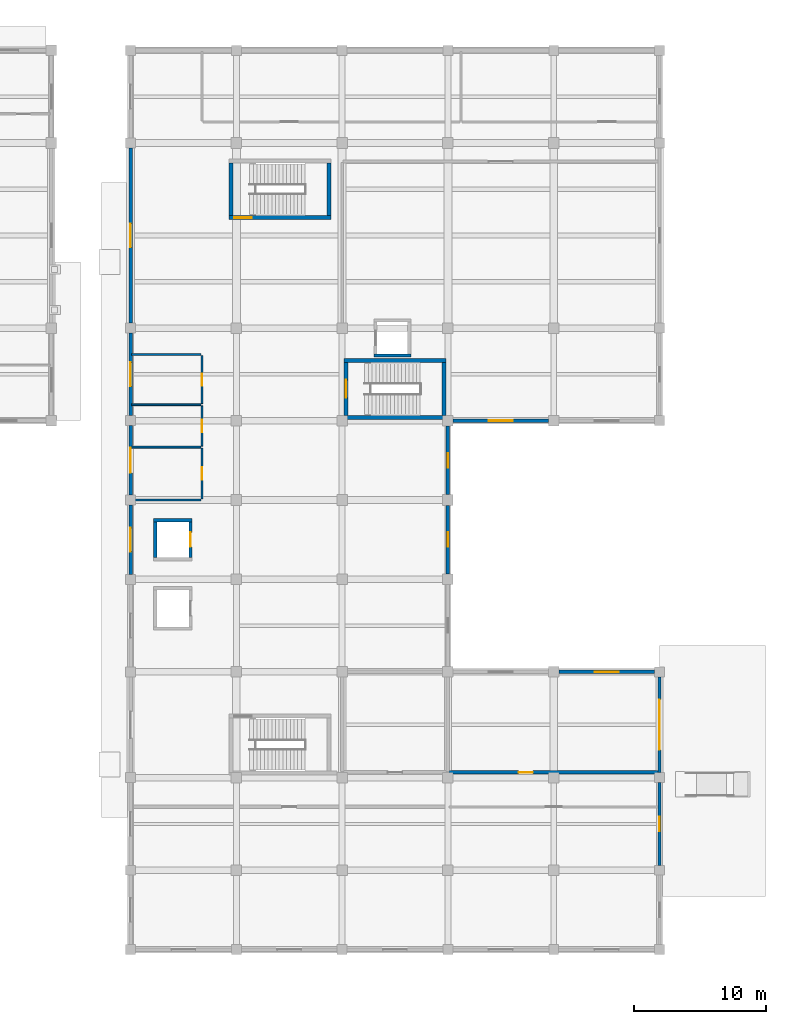
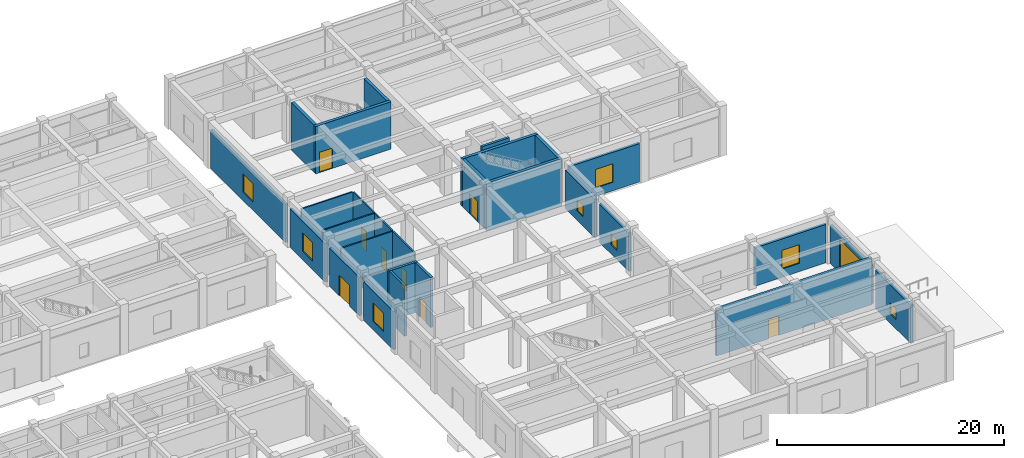
# One storey, part 28 of 40: 29 walls, 9 doors, 8 windows, 17 openings.
"""IFC4 building model written with IfcOpenShell, lengths in metres."""

from ifc_helpers import new_model, si_unit, direction, frame, frame_2d, origin, place, context, subcontext, project, spatial, rectangle, extrude, material, layer, layer_set, type_object, element, fill, save


model = new_model("IFC4")

# Units and contexts
model_context = context("Model", 3, precision=1e-05, world=origin(), true_north=direction((0.0, 1.0)))
body_context = subcontext(model_context, "Body", "Model", "MODEL_VIEW")
ifc_project = project(units=[si_unit("LENGTHUNIT", "METRE"), si_unit("AREAUNIT", "SQUARE_METRE"), si_unit("VOLUMEUNIT", "CUBIC_METRE"), si_unit("PLANEANGLEUNIT", "RADIAN"), si_unit("MASSUNIT", "GRAM", prefix="KILO")], contexts=[model_context])

# Site, building, storey
site_placement = place(None, origin())
site = spatial("IfcSite", under=ifc_project, at=site_placement, CompositionType="ELEMENT")
building_placement = place(site_placement, origin())
building = spatial("IfcBuilding", under=site, at=building_placement, Name="Naurynzar Civic Courthouse", CompositionType="ELEMENT")
storey_placement = place(building_placement, origin())
storey = spatial("IfcBuildingStorey", under=building, at=storey_placement, Name="L01", CompositionType="ELEMENT", Elevation=0.0)

# Wall, opening, door
ifc_material_1 = material(Name="Concrete C40/50", Category="concrete")
ifc_layer_1 = layer(ifc_material_1, 0.300048828125)
ifc_layer_set_1 = layer_set([ifc_layer_1], Name="WL-CORE-300")
wall_type_1 = type_object("IfcWallType", Name="WL-CORE-300", PredefinedType="SHEAR", material=ifc_layer_set_1)
wall_1_placement = place(storey_placement, frame((145.14990234375, 59.35009765625, 0.0), z_axis=(0.0, 0.0, 1.0), x_axis=(-1.0, 0.0, 0.0)))
wall_1 = element("IfcWall", 1, at=wall_1_placement, inside=storey, type_object=wall_type_1, Name="Stair ST-V5B enclosure wall south L01", PredefinedType="SHEAR", context=body_context, shape_type="SweptSolid", body=[
    extrude(rectangle(XDim=7.699951171875, YDim=0.300048828125, at=frame_2d((3.85009765625, 0.0))), origin(), (0.0, 0.0, 1.0), 5.10009765625),
])
opening_1_placement = place(wall_1_placement, frame((5.97509765625, 0.0, 0.0)))
opening_1 = element("IfcOpeningElement", 2, at=opening_1_placement, cuts=wall_1, Name="Opening SD-069", PredefinedType="OPENING", context=body_context, shape_type="SweptSolid", body=[
    extrude(rectangle(XDim=1.35009765625, YDim=2.199951171875, at=frame_2d((0.675048828125, 1.10009765625))), frame((0.0, 0.159912109375, 0.0), z_axis=(0.0, -1.0, 0.0), x_axis=(1.0, 0.0, 0.0)), (0.0, 0.0, 1.0), 0.320068359375),
])
ifc_material_2 = material(Name="Powder-Coated Galvanised Steel", Category="steel")
door_type_1 = type_object("IfcDoorType", Name="DR-STAIR-1350x2200", OperationType="NOTDEFINED", PredefinedType="DOOR", material=ifc_material_2)
door_1_placement = place(opening_1_placement, origin())
door_1 = element("IfcDoor", 3, at=door_1_placement, inside=storey, type_object=door_type_1, Name="Stair ST-V5B fire door L01", OperationType="SINGLE_SWING_LEFT", OverallHeight=2.199951171875, OverallWidth=1.35009765625, PredefinedType="DOOR", context=body_context, shape_type="SweptSolid", body=[
    extrude(rectangle(XDim=1.35009765625, YDim=2.199951171875, at=frame_2d((0.675048828125, 1.10009765625))), frame((0.0, 0.02490234375, 0.0), z_axis=(0.0, -1.0, 0.0), x_axis=(1.0, 0.0, 0.0)), (0.0, 0.0, 1.0), 0.050048828125),
])
fill(opening_1, door_1)

# Walls
for number, where, z_axis, x_axis, name in (
    (4, (137.60009765625, 63.4951171875, 0.0), (0.0, 0.0, 1.0), (0.0, -1.0, 0.0), "Stair ST-V5B enclosure wall west L01"),
    (5, (145.0, 59.5048828125, 0.0), (0.0, 0.0, 1.0), (0.0, 1.0, 0.0), "Stair ST-V5B enclosure wall east L01"),
):
    element("IfcWall", number, at=place(storey_placement, frame(where, z_axis=z_axis, x_axis=x_axis)), inside=storey, type_object=wall_type_1, Name=name, PredefinedType="SHEAR", context=body_context, shape_type="SweptSolid", body=[
        extrude(rectangle(XDim=3.990234375, YDim=0.300048828125, at=frame_2d((1.9951171875, 0.0))), origin(), (0.0, 0.0, 1.0), 5.10009765625),
    ])
for number, where, z_axis, x_axis, name in (
    (6, (153.85009765625, 48.550048828125, 0.0), (0.0, 0.0, 1.0), (-1.0, 0.0, 0.0), "Stair ST-CUS enclosure wall north L01"),
    (7, (146.14990234375, 44.25, 0.0), (0.0, 0.0, 1.0), (1.0, 0.0, 0.0), "Stair ST-CUS enclosure wall south L01"),
):
    element("IfcWall", number, at=place(storey_placement, frame(where, z_axis=z_axis, x_axis=x_axis)), inside=storey, type_object=wall_type_1, Name=name, PredefinedType="SHEAR", context=body_context, shape_type="SweptSolid", body=[
        extrude(rectangle(XDim=7.7001953125, YDim=0.300048828125, at=frame_2d((3.85009765625, 0.0))), origin(), (0.0, 0.0, 1.0), 5.10009765625),
    ])

# Wall, opening, door
wall_2_placement = place(storey_placement, frame((146.300048828125, 44.405029296875, 0.0), z_axis=(0.0, 0.0, 1.0), x_axis=(0.0, 1.0, 0.0)))
wall_2 = element("IfcWall", 8, at=wall_2_placement, inside=storey, type_object=wall_type_1, Name="Stair ST-CUS enclosure wall west L01", PredefinedType="SHEAR", context=body_context, shape_type="SweptSolid", body=[
    extrude(rectangle(XDim=3.989990234375, YDim=0.300048828125, at=frame_2d((1.9951171875, 0.0))), origin(), (0.0, 0.0, 1.0), 5.10009765625),
])
opening_2_placement = place(wall_2_placement, frame((1.320068359375, 0.0, 0.0)))
opening_2 = element("IfcOpeningElement", 9, at=opening_2_placement, cuts=wall_2, Name="Opening SD-078", PredefinedType="OPENING", context=body_context, shape_type="SweptSolid", body=[
    extrude(rectangle(XDim=1.35009765625, YDim=2.199951171875, at=frame_2d((0.675048828125, 1.10009765625))), frame((0.0, 0.159912109375, 0.0), z_axis=(0.0, -1.0, 0.0), x_axis=(1.0, 0.0, 0.0)), (0.0, 0.0, 1.0), 0.320068359375),
])
door_2_placement = place(opening_2_placement, origin())
door_2 = element("IfcDoor", 10, at=door_2_placement, inside=storey, type_object=door_type_1, Name="Stair ST-CUS fire door L01", OperationType="SINGLE_SWING_RIGHT", OverallHeight=2.199951171875, OverallWidth=1.35009765625, PredefinedType="DOOR", context=body_context, shape_type="SweptSolid", body=[
    extrude(rectangle(XDim=1.35009765625, YDim=2.199951171875, at=frame_2d((0.675048828125, 1.10009765625))), frame((0.0, 0.02490234375, 0.0), z_axis=(0.0, -1.0, 0.0), x_axis=(1.0, 0.0, 0.0)), (0.0, 0.0, 1.0), 0.050048828125),
])
fill(opening_2, door_2)

# Wall
wall_3_placement = place(storey_placement, frame((153.699951171875, 44.405029296875, 0.0), z_axis=(0.0, 0.0, 1.0), x_axis=(0.0, 1.0, 0.0)))
element("IfcWall", 11, at=wall_3_placement, inside=storey, type_object=wall_type_1, Name="Stair ST-CUS enclosure wall east L01", PredefinedType="SHEAR", context=body_context, shape_type="SweptSolid", body=[
    extrude(rectangle(XDim=3.989990234375, YDim=0.300048828125, at=frame_2d((1.9951171875, 0.0))), origin(), (0.0, 0.0, 1.0), 5.10009765625),
])

# Wall, opening, door
ifc_material_3 = material(Name="Concrete C40/50", Category="concrete")
ifc_layer_2 = layer(ifc_material_3, 0.260009765625)
ifc_layer_set_2 = layer_set([ifc_layer_2], Name="WL-CUS-260")
wall_type_2 = type_object("IfcWallType", Name="WL-CUS-260", PredefinedType="SOLIDWALL", material=ifc_layer_set_2)
wall_4_placement = place(storey_placement, frame((154.080078125, 17.39990234375, 0.0), z_axis=(0.0, 0.0, 1.0), x_axis=(1.0, 0.0, 0.0)))
wall_4 = element("IfcWall", 12, at=wall_4_placement, inside=storey, type_object=wall_type_2, Name="V5 interior partition L01.80", PredefinedType="SOLIDWALL", context=body_context, shape_type="SweptSolid", body=[
    extrude(rectangle(XDim=15.83984375, YDim=0.260009765625, at=frame_2d((7.919921875, 0.0))), origin(), (0.0, 0.0, 1.0), 5.0400390625),
])
opening_3_placement = place(wall_4_placement, frame((5.27099609375, 0.0, 0.0)))
opening_3 = element("IfcOpeningElement", 13, at=opening_3_placement, cuts=wall_4, Name="Opening D-279", PredefinedType="OPENING", context=body_context, shape_type="SweptSolid", body=[
    extrude(rectangle(XDim=1.080078125, YDim=2.10009765625, at=frame_2d((0.5400390625, 1.050048828125))), frame((0.0, 0.139892578125, 0.0), z_axis=(0.0, -1.0, 0.0), x_axis=(1.0, 0.0, 0.0)), (0.0, 0.0, 1.0), 0.280029296875),
])
ifc_material_4 = material(Name="Powder-Coated Galvanised Steel", Category="steel")
door_type_2 = type_object("IfcDoorType", Name="DR-CUS-CELL-1080x2100", OperationType="NOTDEFINED", PredefinedType="DOOR", material=ifc_material_4)
door_3_placement = place(opening_3_placement, origin())
door_3 = element("IfcDoor", 14, at=door_3_placement, inside=storey, type_object=door_type_2, Name="Interior door D-279 (Secure Sally-Port Vehicle Dock)", OperationType="SINGLE_SWING_LEFT", OverallHeight=2.10009765625, OverallWidth=1.080078125, PredefinedType="DOOR", context=body_context, shape_type="SweptSolid", body=[
    extrude(rectangle(XDim=1.080078125, YDim=2.10009765625, at=frame_2d((0.5400390625, 1.050048828125))), frame((0.0, 0.02490234375, 0.0), z_axis=(0.0, -1.0, 0.0), x_axis=(1.0, 0.0, 0.0)), (0.0, 0.0, 1.0), 0.050048828125),
])
fill(opening_3, door_3)

# Wall, opening, window
ifc_material_5 = material(Name="Precast concrete C40/50", Category="concrete")
ifc_layer_3 = layer(ifc_material_5, 0.260009765625)
ifc_layer_set_3 = layer_set([ifc_layer_3], Name="WL-EXT-260")
wall_type_3 = type_object("IfcWallType", Name="WL-EXT-260", PredefinedType="SOLIDWALL", material=ifc_layer_set_3)
wall_5_placement = place(storey_placement, frame((130.0, 32.375, 0.0), z_axis=(0.0, 0.0, 1.0), x_axis=(0.0, 1.0, 0.0)))
wall_5 = element("IfcWall", 15, at=wall_5_placement, inside=storey, type_object=wall_type_3, Name="V5 exterior wall west L01.5.1", PredefinedType="SOLIDWALL", context=body_context, shape_type="SweptSolid", body=[
    extrude(rectangle(XDim=5.25, YDim=0.260009765625, at=frame_2d((2.625, 0.0))), origin(), (0.0, 0.0, 1.0), 4.1298828125),
])
opening_4_placement = place(wall_5_placement, frame((1.72509765625, 0.0, 0.89990234375)))
opening_4 = element("IfcOpeningElement", 16, at=opening_4_placement, cuts=wall_5, Name="Opening WN-03", PredefinedType="OPENING", context=body_context, shape_type="SweptSolid", body=[
    extrude(rectangle(XDim=1.800048828125, YDim=2.0, at=frame_2d((0.89990234375, 1.0))), frame((0.0, 0.139892578125, 0.0), z_axis=(0.0, -1.0, 0.0), x_axis=(1.0, 0.0, 0.0)), (0.0, 0.0, 1.0), 0.280029296875),
])
ifc_material_6 = material(Name="Tempered Laminated Low-E Glass", Category="glass")
window_type_1 = type_object("IfcWindowType", Name="WIN-COURT-1800x2000", PartitioningType="DOUBLE_PANEL_VERTICAL", PredefinedType="WINDOW", material=ifc_material_6)
window_1_placement = place(opening_4_placement, origin())
window_1 = element("IfcWindow", 17, at=window_1_placement, inside=storey, type_object=window_type_1, Name="V5 window 241 L01", OverallHeight=2.0, OverallWidth=1.800048828125, PartitioningType="SINGLE_PANEL", PredefinedType="WINDOW", context=body_context, shape_type="SweptSolid", body=[
    extrude(rectangle(XDim=1.800048828125, YDim=2.0, at=frame_2d((0.89990234375, 1.0))), frame((0.0, 0.030029296875, 0.0), z_axis=(0.0, -1.0, 0.0), x_axis=(1.0, 0.0, 0.0)), (0.0, 0.0, 1.0), 0.06005859375),
])
fill(opening_4, window_1)

# Wall, opening, door
wall_6_placement = place(storey_placement, frame((130.0, 38.375, 0.0), z_axis=(0.0, 0.0, 1.0), x_axis=(0.0, 1.0, 0.0)))
wall_6 = element("IfcWall", 18, at=wall_6_placement, inside=storey, type_object=wall_type_3, Name="V5 exterior wall west L01.6.1", PredefinedType="SOLIDWALL", context=body_context, shape_type="SweptSolid", body=[
    extrude(rectangle(XDim=5.25, YDim=0.260009765625, at=frame_2d((2.625, 0.0))), origin(), (0.0, 0.0, 1.0), 4.1298828125),
])
opening_5_placement = place(wall_6_placement, frame((1.675048828125, 0.0, 0.0)))
opening_5 = element("IfcOpeningElement", 19, at=opening_5_placement, cuts=wall_6, Name="Opening ED-20", PredefinedType="OPENING", context=body_context, shape_type="SweptSolid", body=[
    extrude(rectangle(XDim=1.89990234375, YDim=2.25, at=frame_2d((0.949951171875, 1.125))), frame((0.0, 0.139892578125, 0.0), z_axis=(0.0, -1.0, 0.0), x_axis=(1.0, 0.0, 0.0)), (0.0, 0.0, 1.0), 0.280029296875),
])
ifc_material_7 = material(Name="Aluminium 6063-T6", Category="aluminium")
door_type_3 = type_object("IfcDoorType", Name="DR-EXT-1900x2250", OperationType="DOUBLE_DOOR_SINGLE_SWING", PredefinedType="DOOR", material=ifc_material_7)
door_4_placement = place(opening_5_placement, origin())
door_4 = element("IfcDoor", 20, at=door_4_placement, inside=storey, type_object=door_type_3, Name="Ground final exit door ED-20", OperationType="DOUBLE_DOOR_SINGLE_SWING", OverallHeight=2.25, OverallWidth=1.89990234375, PredefinedType="DOOR", context=body_context, shape_type="SweptSolid", body=[
    extrude(rectangle(XDim=1.89990234375, YDim=2.25, at=frame_2d((0.949951171875, 1.125))), frame((0.0, 0.02490234375, 0.0), z_axis=(0.0, -1.0, 0.0), x_axis=(1.0, 0.0, 0.0)), (0.0, 0.0, 1.0), 0.050048828125),
])
fill(opening_5, door_4)

# Wall, opening, window
wall_7_placement = place(storey_placement, frame((130.0, 44.375, 0.0), z_axis=(0.0, 0.0, 1.0), x_axis=(0.0, 1.0, 0.0)))
wall_7 = element("IfcWall", 21, at=wall_7_placement, inside=storey, type_object=wall_type_3, Name="V5 exterior wall west L01.7.1", PredefinedType="SOLIDWALL", context=body_context, shape_type="SweptSolid", body=[
    extrude(rectangle(XDim=6.25, YDim=0.260009765625, at=frame_2d((3.125, 0.0))), origin(), (0.0, 0.0, 1.0), 4.1298828125),
])
opening_6_placement = place(wall_7_placement, frame((2.22509765625, 0.0, 0.89990234375)))
opening_6 = element("IfcOpeningElement", 22, at=opening_6_placement, cuts=wall_7, Name="Opening WN-03", PredefinedType="OPENING", context=body_context, shape_type="SweptSolid", body=[
    extrude(rectangle(XDim=1.800048828125, YDim=2.0, at=frame_2d((0.89990234375, 1.0))), frame((0.0, 0.139892578125, 0.0), z_axis=(0.0, -1.0, 0.0), x_axis=(1.0, 0.0, 0.0)), (0.0, 0.0, 1.0), 0.280029296875),
])
window_2_placement = place(opening_6_placement, origin())
window_2 = element("IfcWindow", 23, at=window_2_placement, inside=storey, type_object=window_type_1, Name="V5 window 242 L01", OverallHeight=2.0, OverallWidth=1.800048828125, PartitioningType="SINGLE_PANEL", PredefinedType="WINDOW", context=body_context, shape_type="SweptSolid", body=[
    extrude(rectangle(XDim=1.800048828125, YDim=2.0, at=frame_2d((0.89990234375, 1.0))), frame((0.0, 0.030029296875, 0.0), z_axis=(0.0, -1.0, 0.0), x_axis=(1.0, 0.0, 0.0)), (0.0, 0.0, 1.0), 0.06005859375),
])
fill(opening_6, window_2)

wall_8_placement = place(storey_placement, frame((130.0, 51.375, 0.0), z_axis=(0.0, 0.0, 1.0), x_axis=(0.0, 1.0, 0.0)))
wall_8 = element("IfcWall", 24, at=wall_8_placement, inside=storey, type_object=wall_type_3, Name="V5 exterior wall west L01.8.1", PredefinedType="SOLIDWALL", context=body_context, shape_type="SweptSolid", body=[
    extrude(rectangle(XDim=13.25, YDim=0.260009765625, at=frame_2d((6.625, 0.0))), origin(), (0.0, 0.0, 1.0), 4.1298828125),
])
opening_7_placement = place(wall_8_placement, frame((5.72509765625, 0.0, 0.89990234375)))
opening_7 = element("IfcOpeningElement", 25, at=opening_7_placement, cuts=wall_8, Name="Opening WN-03", PredefinedType="OPENING", context=body_context, shape_type="SweptSolid", body=[
    extrude(rectangle(XDim=1.800048828125, YDim=2.0, at=frame_2d((0.89990234375, 1.0))), frame((0.0, 0.139892578125, 0.0), z_axis=(0.0, -1.0, 0.0), x_axis=(1.0, 0.0, 0.0)), (0.0, 0.0, 1.0), 0.280029296875),
])
window_3_placement = place(opening_7_placement, origin())
window_3 = element("IfcWindow", 26, at=window_3_placement, inside=storey, type_object=window_type_1, Name="V5 window 243 L01", OverallHeight=2.0, OverallWidth=1.800048828125, PartitioningType="SINGLE_PANEL", PredefinedType="WINDOW", context=body_context, shape_type="SweptSolid", body=[
    extrude(rectangle(XDim=1.800048828125, YDim=2.0, at=frame_2d((0.89990234375, 1.0))), frame((0.0, 0.030029296875, 0.0), z_axis=(0.0, -1.0, 0.0), x_axis=(1.0, 0.0, 0.0)), (0.0, 0.0, 1.0), 0.06005859375),
])
fill(opening_7, window_3)

wall_9_placement = place(storey_placement, frame((161.60009765625, 44.0, 0.0), z_axis=(0.0, 0.0, 1.0), x_axis=(-1.0, 0.0, 0.0)))
wall_9 = element("IfcWall", 27, at=wall_9_placement, inside=storey, type_object=wall_type_3, Name="V5 exterior wall notch_n L01.2.1", PredefinedType="SOLIDWALL", context=body_context, shape_type="SweptSolid", body=[
    extrude(rectangle(XDim=7.2001953125, YDim=0.260009765625, at=frame_2d((3.60009765625, 0.0))), origin(), (0.0, 0.0, 1.0), 4.1298828125),
])
opening_8_placement = place(wall_9_placement, frame((2.699951171875, 0.0, 0.89990234375)))
opening_8 = element("IfcOpeningElement", 28, at=opening_8_placement, cuts=wall_9, Name="Opening WN-03", PredefinedType="OPENING", context=body_context, shape_type="SweptSolid", body=[
    extrude(rectangle(XDim=1.800048828125, YDim=2.0, at=frame_2d((0.89990234375, 1.0))), frame((0.0, 0.139892578125, 0.0), z_axis=(0.0, -1.0, 0.0), x_axis=(1.0, 0.0, 0.0)), (0.0, 0.0, 1.0), 0.280029296875),
])
window_4_placement = place(opening_8_placement, origin())
window_4 = element("IfcWindow", 29, at=window_4_placement, inside=storey, type_object=window_type_1, Name="V5 window 249 L01", OverallHeight=2.0, OverallWidth=1.800048828125, PartitioningType="SINGLE_PANEL", PredefinedType="WINDOW", context=body_context, shape_type="SweptSolid", body=[
    extrude(rectangle(XDim=1.800048828125, YDim=2.0, at=frame_2d((0.89990234375, 1.0))), frame((0.0, 0.030029296875, 0.0), z_axis=(0.0, -1.0, 0.0), x_axis=(1.0, 0.0, 0.0)), (0.0, 0.0, 1.0), 0.06005859375),
])
fill(opening_8, window_4)

wall_10_placement = place(storey_placement, frame((154.0, 43.60009765625, 0.0), z_axis=(0.0, 0.0, 1.0), x_axis=(0.0, -1.0, 0.0)))
wall_10 = element("IfcWall", 30, at=wall_10_placement, inside=storey, type_object=wall_type_3, Name="V5 exterior wall notch_w L01.1.1", PredefinedType="SOLIDWALL", context=body_context, shape_type="SweptSolid", body=[
    extrude(rectangle(XDim=5.2001953125, YDim=0.260009765625, at=frame_2d((2.60009765625, 0.0))), origin(), (0.0, 0.0, 1.0), 4.1298828125),
])
opening_9_placement = place(wall_10_placement, frame((2.050048828125, 0.0, 1.0)))
opening_9 = element("IfcOpeningElement", 31, at=opening_9_placement, cuts=wall_10, Name="Opening WN-15", PredefinedType="OPENING", context=body_context, shape_type="SweptSolid", body=[
    extrude(rectangle(XDim=1.10009765625, YDim=1.199951171875, at=frame_2d((0.550048828125, 0.60009765625))), frame((0.0, 0.139892578125, 0.0), z_axis=(0.0, -1.0, 0.0), x_axis=(1.0, 0.0, 0.0)), (0.0, 0.0, 1.0), 0.280029296875),
])
ifc_material_8 = material(Name="Tempered Laminated Low-E Glass", Category="glass")
window_type_2 = type_object("IfcWindowType", Name="WIN-SEC-1100x1200", PartitioningType="SINGLE_PANEL", PredefinedType="WINDOW", material=ifc_material_8)
window_5_placement = place(opening_9_placement, origin())
window_5 = element("IfcWindow", 32, at=window_5_placement, inside=storey, type_object=window_type_2, Name="V5 window 250 L01", OverallHeight=1.199951171875, OverallWidth=1.10009765625, PartitioningType="SINGLE_PANEL", PredefinedType="WINDOW", context=body_context, shape_type="SweptSolid", body=[
    extrude(rectangle(XDim=1.10009765625, YDim=1.199951171875, at=frame_2d((0.550048828125, 0.60009765625))), frame((0.0, 0.030029296875, 0.0), z_axis=(0.0, -1.0, 0.0), x_axis=(1.0, 0.0, 0.0)), (0.0, 0.0, 1.0), 0.06005859375),
])
fill(opening_9, window_5)

wall_11_placement = place(storey_placement, frame((154.0, 37.60009765625, 0.0), z_axis=(0.0, 0.0, 1.0), x_axis=(0.0, -1.0, 0.0)))
wall_11 = element("IfcWall", 33, at=wall_11_placement, inside=storey, type_object=wall_type_3, Name="V5 exterior wall notch_w L01.2.1", PredefinedType="SOLIDWALL", context=body_context, shape_type="SweptSolid", body=[
    extrude(rectangle(XDim=5.2001953125, YDim=0.260009765625, at=frame_2d((2.60009765625, 0.0))), origin(), (0.0, 0.0, 1.0), 4.1298828125),
])
opening_10_placement = place(wall_11_placement, frame((2.050048828125, 0.0, 1.0)))
opening_10 = element("IfcOpeningElement", 34, at=opening_10_placement, cuts=wall_11, Name="Opening WN-15", PredefinedType="OPENING", context=body_context, shape_type="SweptSolid", body=[
    extrude(rectangle(XDim=1.10009765625, YDim=1.199951171875, at=frame_2d((0.550048828125, 0.60009765625))), frame((0.0, 0.139892578125, 0.0), z_axis=(0.0, -1.0, 0.0), x_axis=(1.0, 0.0, 0.0)), (0.0, 0.0, 1.0), 0.280029296875),
])
window_6_placement = place(opening_10_placement, origin())
window_6 = element("IfcWindow", 35, at=window_6_placement, inside=storey, type_object=window_type_2, Name="V5 window 251 L01", OverallHeight=1.199951171875, OverallWidth=1.10009765625, PartitioningType="SINGLE_PANEL", PredefinedType="WINDOW", context=body_context, shape_type="SweptSolid", body=[
    extrude(rectangle(XDim=1.10009765625, YDim=1.199951171875, at=frame_2d((0.550048828125, 0.60009765625))), frame((0.0, 0.030029296875, 0.0), z_axis=(0.0, -1.0, 0.0), x_axis=(1.0, 0.0, 0.0)), (0.0, 0.0, 1.0), 0.06005859375),
])
fill(opening_10, window_6)

wall_12_placement = place(storey_placement, frame((162.39990234375, 25.0, 0.0), z_axis=(0.0, 0.0, 1.0), x_axis=(1.0, 0.0, 0.0)))
wall_12 = element("IfcWall", 36, at=wall_12_placement, inside=storey, type_object=wall_type_3, Name="V5 exterior wall notch_s L01.2.1", PredefinedType="SOLIDWALL", context=body_context, shape_type="SweptSolid", body=[
    extrude(rectangle(XDim=7.22509765625, YDim=0.260009765625, at=frame_2d((3.612548828125, 0.0))), origin(), (0.0, 0.0, 1.0), 4.1298828125),
])
opening_11_placement = place(wall_12_placement, frame((2.71240234375, 0.0, 0.89990234375)))
opening_11 = element("IfcOpeningElement", 37, at=opening_11_placement, cuts=wall_12, Name="Opening WN-03", PredefinedType="OPENING", context=body_context, shape_type="SweptSolid", body=[
    extrude(rectangle(XDim=1.800048828125, YDim=2.0, at=frame_2d((0.89990234375, 1.0))), frame((0.0, 0.139892578125, 0.0), z_axis=(0.0, -1.0, 0.0), x_axis=(1.0, 0.0, 0.0)), (0.0, 0.0, 1.0), 0.280029296875),
])
window_7_placement = place(opening_11_placement, origin())
window_7 = element("IfcWindow", 38, at=window_7_placement, inside=storey, type_object=window_type_1, Name="V5 window 254 L01", OverallHeight=2.0, OverallWidth=1.800048828125, PartitioningType="SINGLE_PANEL", PredefinedType="WINDOW", context=body_context, shape_type="SweptSolid", body=[
    extrude(rectangle(XDim=1.800048828125, YDim=2.0, at=frame_2d((0.89990234375, 1.0))), frame((0.0, 0.030029296875, 0.0), z_axis=(0.0, -1.0, 0.0), x_axis=(1.0, 0.0, 0.0)), (0.0, 0.0, 1.0), 0.06005859375),
])
fill(opening_11, window_7)

# Wall, opening, door
wall_13_placement = place(storey_placement, frame((170.0, 24.625, 0.0), z_axis=(0.0, 0.0, 1.0), x_axis=(0.0, -1.0, 0.0)))
wall_13 = element("IfcWall", 39, at=wall_13_placement, inside=storey, type_object=wall_type_3, Name="V5 exterior wall east_south L01.1.1", PredefinedType="SOLIDWALL", context=body_context, shape_type="SweptSolid", body=[
    extrude(rectangle(XDim=7.25, YDim=0.260009765625, at=frame_2d((3.625, 0.0))), origin(), (0.0, 0.0, 1.0), 4.1298828125),
])
opening_12_placement = place(wall_13_placement, frame((1.72509765625, 0.0, 0.0)))
opening_12 = element("IfcOpeningElement", 40, at=opening_12_placement, cuts=wall_13, Name="Opening VG-01", PredefinedType="OPENING", context=body_context, shape_type="SweptSolid", body=[
    extrude(rectangle(XDim=3.800048828125, YDim=3.60009765625, at=frame_2d((1.89990234375, 1.800048828125))), frame((0.0, 0.139892578125, 0.0), z_axis=(0.0, -1.0, 0.0), x_axis=(1.0, 0.0, 0.0)), (0.0, 0.0, 1.0), 0.280029296875),
])
ifc_material_9 = material(Name="Powder-Coated Galvanised Steel", Category="steel")
door_type_4 = type_object("IfcDoorType", Name="GT-SALLY-3800x3600", OperationType="DOUBLE_DOOR_SLIDING", PredefinedType="GATE", material=ifc_material_9)
door_5_placement = place(opening_12_placement, origin())
door_5 = element("IfcDoor", 41, at=door_5_placement, inside=storey, type_object=door_type_4, Name="Secure Sally-Port Sliding Vehicle Gate VG-01", OperationType="DOUBLE_DOOR_SLIDING", OverallHeight=3.60009765625, OverallWidth=3.800048828125, PredefinedType="GATE", context=body_context, shape_type="SweptSolid", body=[
    extrude(rectangle(XDim=3.800048828125, YDim=3.60009765625, at=frame_2d((1.89990234375, 1.800048828125))), frame((0.0, 0.02490234375, 0.0), z_axis=(0.0, -1.0, 0.0), x_axis=(1.0, 0.0, 0.0)), (0.0, 0.0, 1.0), 0.050048828125),
])
fill(opening_12, door_5)

# Wall, opening, window
wall_14_placement = place(storey_placement, frame((170.0, 16.625, 0.0), z_axis=(0.0, 0.0, 1.0), x_axis=(0.0, -1.0, 0.0)))
wall_14 = element("IfcWall", 42, at=wall_14_placement, inside=storey, type_object=wall_type_3, Name="V5 exterior wall east_south L01.2.1", PredefinedType="SOLIDWALL", context=body_context, shape_type="SweptSolid", body=[
    extrude(rectangle(XDim=6.25, YDim=0.260009765625, at=frame_2d((3.125, 0.0))), origin(), (0.0, 0.0, 1.0), 4.1298828125),
])
opening_13_placement = place(wall_14_placement, frame((2.574951171875, 0.0, 1.0)))
opening_13 = element("IfcOpeningElement", 43, at=opening_13_placement, cuts=wall_14, Name="Opening WN-15", PredefinedType="OPENING", context=body_context, shape_type="SweptSolid", body=[
    extrude(rectangle(XDim=1.10009765625, YDim=1.199951171875, at=frame_2d((0.550048828125, 0.60009765625))), frame((0.0, 0.139892578125, 0.0), z_axis=(0.0, -1.0, 0.0), x_axis=(1.0, 0.0, 0.0)), (0.0, 0.0, 1.0), 0.280029296875),
])
window_8_placement = place(opening_13_placement, origin())
window_8 = element("IfcWindow", 44, at=window_8_placement, inside=storey, type_object=window_type_2, Name="V5 window 255 L01", OverallHeight=1.199951171875, OverallWidth=1.10009765625, PartitioningType="SINGLE_PANEL", PredefinedType="WINDOW", context=body_context, shape_type="SweptSolid", body=[
    extrude(rectangle(XDim=1.10009765625, YDim=1.199951171875, at=frame_2d((0.550048828125, 0.60009765625))), frame((0.0, 0.030029296875, 0.0), z_axis=(0.0, -1.0, 0.0), x_axis=(1.0, 0.0, 0.0)), (0.0, 0.0, 1.0), 0.06005859375),
])
fill(opening_13, window_8)

# Walls
ifc_material_10 = material(Name="Moisture-Resistant Plumbing Partition")
ifc_layer_4 = layer(ifc_material_10, 0.139892578125)
ifc_layer_set_4 = layer_set([ifc_layer_4], Name="WL-PART-WC-140")
wall_type_4 = type_object("IfcWallType", Name="WL-PART-WC-140", PredefinedType="PLUMBINGWALL", material=ifc_layer_set_4)
wall_15_placement = place(storey_placement, frame((130.080078125, 38.0, 0.0), z_axis=(0.0, 0.0, 1.0), x_axis=(1.0, 0.0, 0.0)))
element("IfcWall", 45, at=wall_15_placement, inside=storey, type_object=wall_type_4, Name="V5 interior partition L01.93", PredefinedType="PLUMBINGWALL", context=body_context, shape_type="SweptSolid", body=[
    extrude(rectangle(XDim=5.239990234375, YDim=0.139892578125, at=frame_2d((2.6201171875, 0.0))), origin(), (0.0, 0.0, 1.0), 4.35009765625),
])
for number, where, z_axis, x_axis, name in (
    (46, (130.080078125, 42.0, 0.0), (0.0, 0.0, 1.0), (1.0, 0.0, 0.0), "V5 interior partition L01.94"),
    (47, (130.080078125, 45.199951171875, 0.0), (0.0, 0.0, 1.0), (1.0, 0.0, 0.0), "V5 interior partition L01.95"),
    (48, (130.080078125, 49.0, 0.0), (0.0, 0.0, 1.0), (1.0, 0.0, 0.0), "V5 interior partition L01.103"),
):
    element("IfcWall", number, at=place(storey_placement, frame(where, z_axis=z_axis, x_axis=x_axis)), inside=storey, type_object=wall_type_4, Name=name, PredefinedType="PLUMBINGWALL", context=body_context, shape_type="SweptSolid", body=[
        extrude(rectangle(XDim=5.239990234375, YDim=0.139892578125, at=frame_2d((2.6201171875, 0.0))), origin(), (0.0, 0.0, 1.0), 5.0400390625),
    ])

# Wall, opening, door
wall_16_placement = place(storey_placement, frame((135.39990234375, 38.080078125, 0.0), z_axis=(0.0, 0.0, 1.0), x_axis=(0.0, 1.0, 0.0)))
wall_16 = element("IfcWall", 49, at=wall_16_placement, inside=storey, type_object=wall_type_4, Name="V5 interior partition L01.172", PredefinedType="PLUMBINGWALL", context=body_context, shape_type="SweptSolid", body=[
    extrude(rectangle(XDim=3.83984375, YDim=0.139892578125, at=frame_2d((1.919921875, 0.0))), origin(), (0.0, 0.0, 1.0), 5.0400390625),
])
opening_14_placement = place(wall_16_placement, frame((1.4599609375, 0.0, 0.0)))
opening_14 = element("IfcOpeningElement", 50, at=opening_14_placement, cuts=wall_16, Name="Opening D-276", PredefinedType="OPENING", context=body_context, shape_type="SweptSolid", body=[
    extrude(rectangle(XDim=0.919921875, YDim=2.10009765625, at=frame_2d((0.4599609375, 1.050048828125))), frame((0.0, 0.079833984375, 0.0), z_axis=(0.0, -1.0, 0.0), x_axis=(1.0, 0.0, 0.0)), (0.0, 0.0, 1.0), 0.159912109375),
])
ifc_material_11 = material(Name="Acoustic Oak Timber Grade A", Category="wood")
door_type_5 = type_object("IfcDoorType", Name="DR-WC-STD-920x2100", OperationType="NOTDEFINED", PredefinedType="DOOR", material=ifc_material_11)
door_6_placement = place(opening_14_placement, origin())
door_6 = element("IfcDoor", 51, at=door_6_placement, inside=storey, type_object=door_type_5, Name="Interior door D-276 (Public WC V5)", OperationType="SINGLE_SWING_RIGHT", OverallHeight=2.10009765625, OverallWidth=0.919921875, PredefinedType="DOOR", context=body_context, shape_type="SweptSolid", body=[
    extrude(rectangle(XDim=0.919921875, YDim=2.10009765625, at=frame_2d((0.4599609375, 1.050048828125))), frame((0.0, 0.02490234375, 0.0), z_axis=(0.0, -1.0, 0.0), x_axis=(1.0, 0.0, 0.0)), (0.0, 0.0, 1.0), 0.050048828125),
])
fill(opening_14, door_6)

wall_17_placement = place(storey_placement, frame((135.39990234375, 42.080078125, 0.0), z_axis=(0.0, 0.0, 1.0), x_axis=(0.0, 1.0, 0.0)))
wall_17 = element("IfcWall", 52, at=wall_17_placement, inside=storey, type_object=wall_type_4, Name="V5 interior partition L01.173", PredefinedType="PLUMBINGWALL", context=body_context, shape_type="SweptSolid", body=[
    extrude(rectangle(XDim=3.0400390625, YDim=0.139892578125, at=frame_2d((1.52001953125, 0.0))), origin(), (0.0, 0.0, 1.0), 5.0400390625),
])
opening_15_placement = place(wall_17_placement, frame((1.0400390625, 0.0, 0.0)))
opening_15 = element("IfcOpeningElement", 53, at=opening_15_placement, cuts=wall_17, Name="Opening D-277", PredefinedType="OPENING", context=body_context, shape_type="SweptSolid", body=[
    extrude(rectangle(XDim=0.9599609375, YDim=2.10009765625, at=frame_2d((0.47998046875, 1.050048828125))), frame((0.0, 0.079833984375, 0.0), z_axis=(0.0, -1.0, 0.0), x_axis=(1.0, 0.0, 0.0)), (0.0, 0.0, 1.0), 0.159912109375),
])
ifc_material_12 = material(Name="Acoustic Oak Timber Grade A", Category="wood")
door_type_6 = type_object("IfcDoorType", Name="DR-WC-ACC-960x2100", OperationType="NOTDEFINED", PredefinedType="DOOR", material=ifc_material_12)
door_7_placement = place(opening_15_placement, origin())
door_7 = element("IfcDoor", 54, at=door_7_placement, inside=storey, type_object=door_type_6, Name="Interior door D-277 (Accessible WC V5)", OperationType="SINGLE_SWING_LEFT", OverallHeight=2.10009765625, OverallWidth=0.9599609375, PredefinedType="DOOR", context=body_context, shape_type="SweptSolid", body=[
    extrude(rectangle(XDim=0.9599609375, YDim=2.10009765625, at=frame_2d((0.47998046875, 1.050048828125))), frame((0.0, 0.02490234375, 0.0), z_axis=(0.0, -1.0, 0.0), x_axis=(1.0, 0.0, 0.0)), (0.0, 0.0, 1.0), 0.050048828125),
])
fill(opening_15, door_7)

wall_18_placement = place(storey_placement, frame((135.39990234375, 45.280029296875, 0.0), z_axis=(0.0, 0.0, 1.0), x_axis=(0.0, 1.0, 0.0)))
wall_18 = element("IfcWall", 55, at=wall_18_placement, inside=storey, type_object=wall_type_4, Name="V5 interior partition L01.174", PredefinedType="PLUMBINGWALL", context=body_context, shape_type="SweptSolid", body=[
    extrude(rectangle(XDim=3.639892578125, YDim=0.139892578125, at=frame_2d((1.81982421875, 0.0))), origin(), (0.0, 0.0, 1.0), 5.0400390625),
])
opening_16_placement = place(wall_18_placement, frame((1.360107421875, 0.0, 0.0)))
opening_16 = element("IfcOpeningElement", 56, at=opening_16_placement, cuts=wall_18, Name="Opening D-278", PredefinedType="OPENING", context=body_context, shape_type="SweptSolid", body=[
    extrude(rectangle(XDim=0.919921875, YDim=2.10009765625, at=frame_2d((0.4599609375, 1.050048828125))), frame((0.0, 0.079833984375, 0.0), z_axis=(0.0, -1.0, 0.0), x_axis=(1.0, 0.0, 0.0)), (0.0, 0.0, 1.0), 0.159912109375),
])
door_8_placement = place(opening_16_placement, origin())
door_8 = element("IfcDoor", 57, at=door_8_placement, inside=storey, type_object=door_type_5, Name="Interior door D-278 (Staff WC V5)", OperationType="SINGLE_SWING_RIGHT", OverallHeight=2.10009765625, OverallWidth=0.919921875, PredefinedType="DOOR", context=body_context, shape_type="SweptSolid", body=[
    extrude(rectangle(XDim=0.919921875, YDim=2.10009765625, at=frame_2d((0.4599609375, 1.050048828125))), frame((0.0, 0.02490234375, 0.0), z_axis=(0.0, -1.0, 0.0), x_axis=(1.0, 0.0, 0.0)), (0.0, 0.0, 1.0), 0.050048828125),
])
fill(opening_16, door_8)

# Walls
ifc_material_13 = material(Name="Concrete C40/50", Category="concrete")
ifc_layer_5 = layer(ifc_material_13, 0.25)
ifc_layer_set_5 = layer_set([ifc_layer_5], Name="WL-SHAFT-250")
wall_type_5 = type_object("IfcWallType", Name="WL-SHAFT-250", PredefinedType="SHEAR", material=ifc_layer_set_5)
wall_19_placement = place(storey_placement, frame((134.64990234375, 36.47509765625, 0.0), z_axis=(0.0, 0.0, 1.0), x_axis=(-1.0, 0.0, 0.0)))
element("IfcWall", 58, at=wall_19_placement, inside=storey, type_object=wall_type_5, Name="Lift LP-05 shaft wall north L01", PredefinedType="SHEAR", context=body_context, shape_type="SweptSolid", body=[
    extrude(rectangle(XDim=2.89990234375, YDim=0.25, at=frame_2d((1.449951171875, 0.0))), origin(), (0.0, 0.0, 1.0), 5.39990234375),
])
wall_20_placement = place(storey_placement, frame((131.875, 36.344970703125, 0.0), z_axis=(0.0, 0.0, 1.0), x_axis=(0.0, -1.0, 0.0)))
element("IfcWall", 59, at=wall_20_placement, inside=storey, type_object=wall_type_5, Name="Lift LP-05 shaft wall west L01", PredefinedType="SHEAR", context=body_context, shape_type="SweptSolid", body=[
    extrude(rectangle(XDim=2.68994140625, YDim=0.25, at=frame_2d((1.344970703125, 0.0))), origin(), (0.0, 0.0, 1.0), 5.39990234375),
])

# Wall, opening, door
wall_21_placement = place(storey_placement, frame((134.52490234375, 33.655029296875, 0.0), z_axis=(0.0, 0.0, 1.0), x_axis=(0.0, 1.0, 0.0)))
wall_21 = element("IfcWall", 60, at=wall_21_placement, inside=storey, type_object=wall_type_5, Name="Lift LP-05 shaft wall east L01", PredefinedType="SHEAR", context=body_context, shape_type="SweptSolid", body=[
    extrude(rectangle(XDim=2.68994140625, YDim=0.25, at=frame_2d((1.344970703125, 0.0))), origin(), (0.0, 0.0, 1.0), 5.39990234375),
])
opening_17_placement = place(wall_21_placement, frame((0.794921875, 0.0, 0.0)))
opening_17 = element("IfcOpeningElement", 61, at=opening_17_placement, cuts=wall_21, Name="Opening LD-069", PredefinedType="OPENING", context=body_context, shape_type="SweptSolid", body=[
    extrude(rectangle(XDim=1.10009765625, YDim=2.14990234375, at=frame_2d((0.550048828125, 1.074951171875))), frame((0.0, 0.135009765625, 0.0), z_axis=(0.0, -1.0, 0.0), x_axis=(1.0, 0.0, 0.0)), (0.0, 0.0, 1.0), 0.27001953125),
])
ifc_material_14 = material(Name="Brushed Stainless Steel 304", Category="steel")
door_type_7 = type_object("IfcDoorType", Name="DR-LIFT-SLIDE-1100x2150", OperationType="DOUBLE_DOOR_SLIDING", PredefinedType="DOOR", material=ifc_material_14)
door_9_placement = place(opening_17_placement, origin())
door_9 = element("IfcDoor", 62, at=door_9_placement, inside=storey, type_object=door_type_7, Name="Lift LP-05 sliding landing door L01", OperationType="DOUBLE_DOOR_SLIDING", OverallHeight=2.14990234375, OverallWidth=1.10009765625, PredefinedType="DOOR", context=body_context, shape_type="SweptSolid", body=[
    extrude(rectangle(XDim=1.10009765625, YDim=2.14990234375, at=frame_2d((0.550048828125, 1.074951171875))), frame((0.0, 0.02490234375, 0.0), z_axis=(0.0, -1.0, 0.0), x_axis=(1.0, 0.0, 0.0)), (0.0, 0.0, 1.0), 0.050048828125),
])
fill(opening_17, door_9)

# Wall
wall_22_placement = place(storey_placement, frame((148.39990234375, 48.925048828125, 0.0), z_axis=(0.0, 0.0, 1.0), x_axis=(1.0, 0.0, 0.0)))
element("IfcWall", 63, at=wall_22_placement, inside=storey, type_object=wall_type_5, Name="Lift LF-CUS shaft wall south L01", PredefinedType="SHEAR", context=body_context, shape_type="SweptSolid", body=[
    extrude(rectangle(XDim=2.800048828125, YDim=0.25, at=frame_2d((1.39990234375, 0.0))), origin(), (0.0, 0.0, 1.0), 5.39990234375),
])

save(model, "model.ifc")
